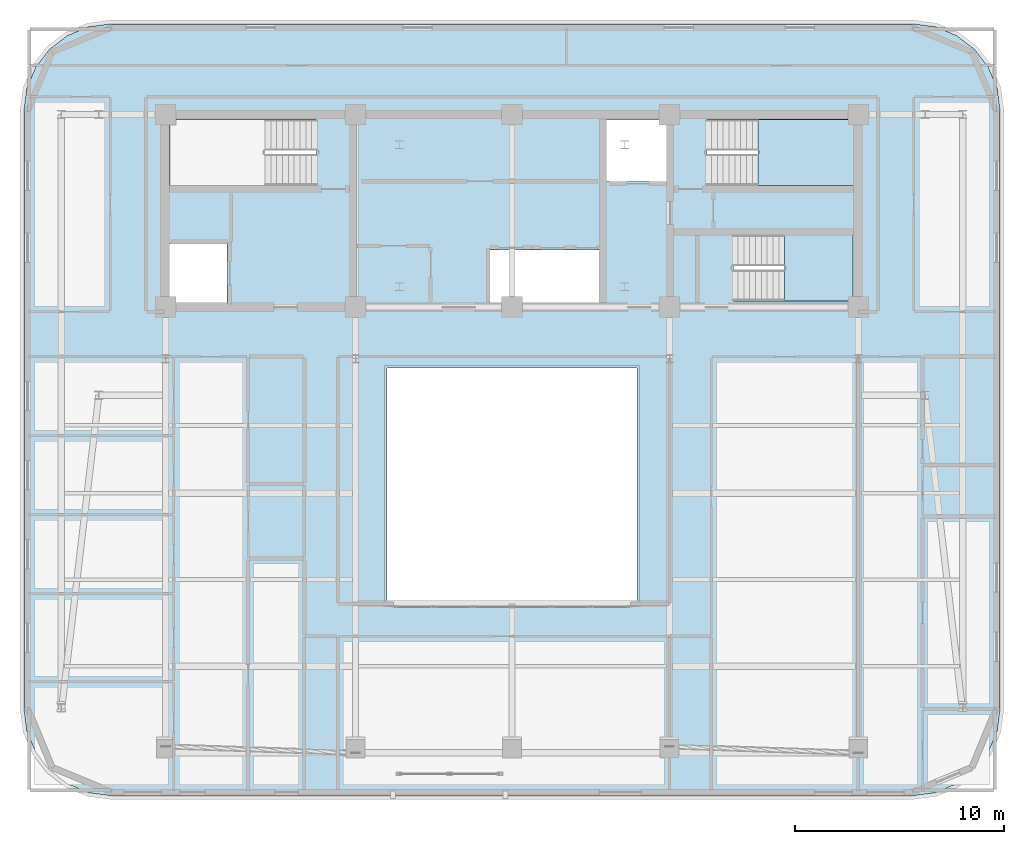
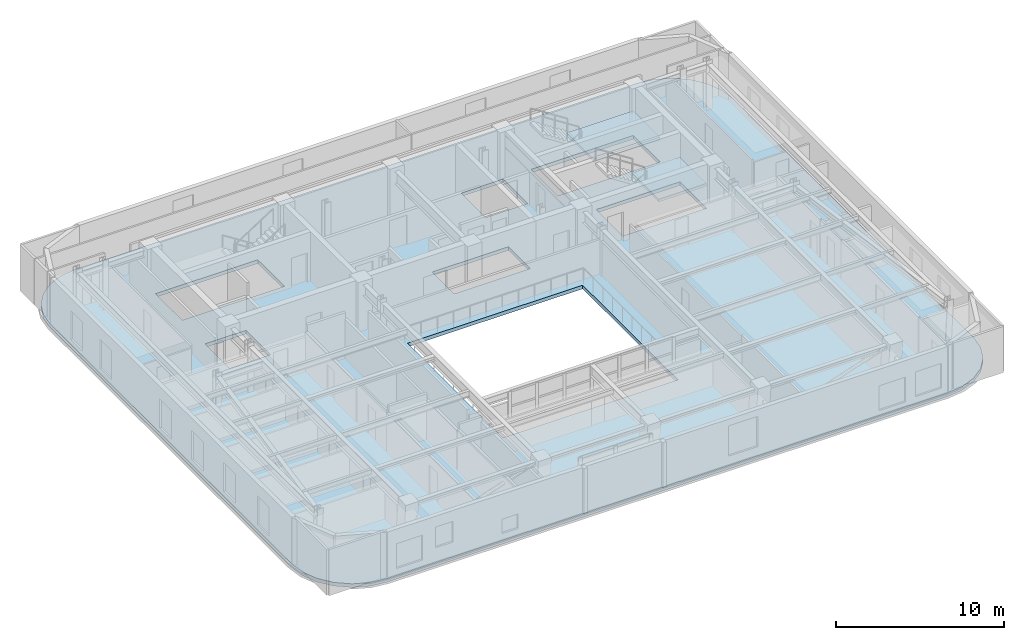
# One storey, part 4 of 14: 3 slabs, 2 elements without a shape of their own.
"""IFC4 building model written with IfcOpenShell, lengths in metres."""

from ifc_helpers import new_model, si_unit, direction, frame, origin, place, context, subcontext, project, spatial, polyline, outline, extrude, material, layer, layer_set, type_object, element, aggregate, save


model = new_model("IFC4")

# Units and contexts
model_context = context("Model", 3, precision=1e-05, world=origin(), true_north=direction((0.0, 1.0)))
body_context = subcontext(model_context, "Body", "Model", "MODEL_VIEW")
ifc_project = project(units=[si_unit("LENGTHUNIT", "METRE"), si_unit("AREAUNIT", "SQUARE_METRE"), si_unit("VOLUMEUNIT", "CUBIC_METRE"), si_unit("PLANEANGLEUNIT", "RADIAN"), si_unit("MASSUNIT", "GRAM", prefix="KILO")], contexts=[model_context])

# Site, building, storey
site_placement = place(None, origin())
site = spatial("IfcSite", under=ifc_project, at=site_placement, CompositionType="ELEMENT")
building_placement = place(site_placement, origin())
building = spatial("IfcBuilding", under=site, at=building_placement, Name="Zarnavel Station Tower", CompositionType="ELEMENT")
storey_placement = place(building_placement, frame((0.0, 0.0, 214.800048828125)))
storey = spatial("IfcBuildingStorey", under=building, at=storey_placement, Name="L58", CompositionType="ELEMENT", Elevation=214.800048828125)

# Slab
ifc_material_1 = material(Name="Concrete C45/55", Category="concrete")
ifc_layer_1 = layer(ifc_material_1, 0.260009765625)
ifc_layer_set_1 = layer_set([ifc_layer_1], Name="SL_FLR_260")
slab_type_1 = type_object("IfcSlabType", Name="SL_FLR_260", PredefinedType="FLOOR", material=ifc_layer_set_1)
slab_1_placement = place(storey_placement, frame((0.0, 0.0, -0.260009765625)))
element("IfcSlab", 1, at=slab_1_placement, inside=storey, type_object=slab_type_1, Name="L58 Structural Floor Slab", PredefinedType="FLOOR", context=body_context, shape_type="SweptSolid", body=[
    extrude(outline(polyline([(48.0, 4.39990234375), (49.0869140625, 4.543212890625), (50.10009765625, 4.962646484375), (50.9697265625, 5.630126953125), (51.63720703125, 6.5), (52.056884765625, 7.512939453125), (52.199951171875, 8.60009765625), (52.199951171875, 37.199951171875), (52.056884765625, 38.287109375), (51.63720703125, 39.300048828125), (50.9697265625, 40.169921875), (50.10009765625, 40.83740234375), (49.0869140625, 41.2568359375), (48.0, 41.39990234375), (9.60009765625, 41.39990234375), (8.512939453125, 41.2568359375), (7.5, 40.83740234375), (6.630126953125, 40.169921875), (5.962646484375, 39.300048828125), (5.543212890625, 38.287109375), (5.39990234375, 37.199951171875), (5.39990234375, 8.60009765625), (5.543212890625, 7.512939453125), (5.962646484375, 6.5), (6.630126953125, 5.630126953125), (7.5, 4.962646484375), (8.512939453125, 4.543212890625), (9.60009765625, 4.39990234375), (48.0, 4.39990234375)]), holes=[polyline([(12.39990234375, 33.659912109375), (19.409912109375, 33.659912109375), (19.409912109375, 36.820068359375), (12.39990234375, 36.820068359375), (12.39990234375, 33.659912109375)]), polyline([(38.14990234375, 33.659912109375), (45.159912109375, 33.659912109375), (45.159912109375, 36.820068359375), (38.14990234375, 36.820068359375), (38.14990234375, 33.659912109375)]), polyline([(39.419921875, 28.1201171875), (45.14990234375, 28.1201171875), (45.14990234375, 31.280029296875), (39.419921875, 31.280029296875), (39.419921875, 28.1201171875)]), polyline([(12.35009765625, 27.949951171875), (15.14990234375, 27.949951171875), (15.14990234375, 30.85009765625), (12.35009765625, 30.85009765625), (12.35009765625, 27.949951171875)]), polyline([(33.320068359375, 33.85009765625), (36.2099609375, 33.85009765625), (36.2099609375, 36.780029296875), (33.320068359375, 36.780029296875), (33.320068359375, 33.85009765625)]), polyline([(27.75, 27.949951171875), (32.97998046875, 27.949951171875), (32.97998046875, 30.550048828125), (27.75, 30.550048828125), (27.75, 27.949951171875)]), polyline([(22.800048828125, 13.60009765625), (34.800048828125, 13.60009765625), (34.800048828125, 24.89990234375), (22.800048828125, 24.89990234375), (22.800048828125, 13.60009765625)])]), origin(), (0.0, 0.0, 1.0), 0.260009765625),
])

# Stair, slab
ifc_material_2 = material(Name="Concrete C45/55", Category="concrete")
stair_type = type_object("IfcStairType", Name="ST_CORE_150", PredefinedType="HALF_TURN_STAIR", material=ifc_material_2)
stair_1_placement = place(storey_placement, origin())
stair_1 = element("IfcStair", 2, at=stair_1_placement, inside=storey, type_object=stair_type, Name="L58 Core Exit Stair ST2", PredefinedType="HALF_TURN_STAIR")
ifc_material_3 = material(Name="Concrete C45/55", Category="concrete")
ifc_layer_2 = layer(ifc_material_3, 0.199951171875)
ifc_layer_set_2 = layer_set([ifc_layer_2], Name="SL_STAIR_LAND_200")
slab_type_2 = type_object("IfcSlabType", Name="SL_STAIR_LAND_200", PredefinedType="LANDING", material=ifc_layer_set_2)
slab_2_placement = place(storey_placement, frame((0.0, 0.0, 1.599853515625)))
slab_2 = element("IfcSlab", 3, at=slab_2_placement, type_object=slab_type_2, Name="ST2 landing 1", PredefinedType="LANDING", context=body_context, shape_type="SweptSolid", body=[
    extrude(outline(polyline([(40.60009765625, 33.659912109375), (45.159912109375, 33.659912109375), (45.159912109375, 36.820068359375), (40.60009765625, 36.820068359375), (40.60009765625, 33.659912109375)])), origin(), (0.0, 0.0, 1.0), 0.2001953125),
])
aggregate(stair_1, [slab_2])

stair_2_placement = place(storey_placement, origin())
stair_2 = element("IfcStair", 4, at=stair_2_placement, inside=storey, type_object=stair_type, Name="L58 Core Exit Stair ST3", PredefinedType="HALF_TURN_STAIR")
slab_3_placement = place(storey_placement, frame((0.0, 0.0, 1.599853515625)))
slab_3 = element("IfcSlab", 5, at=slab_3_placement, type_object=slab_type_2, Name="ST3 landing 1", PredefinedType="LANDING", context=body_context, shape_type="SweptSolid", body=[
    extrude(outline(polyline([(41.8701171875, 28.1201171875), (45.14990234375, 28.1201171875), (45.14990234375, 31.280029296875), (41.8701171875, 31.280029296875), (41.8701171875, 28.1201171875)])), origin(), (0.0, 0.0, 1.0), 0.2001953125),
])
aggregate(stair_2, [slab_3])

save(model, "model.ifc")
